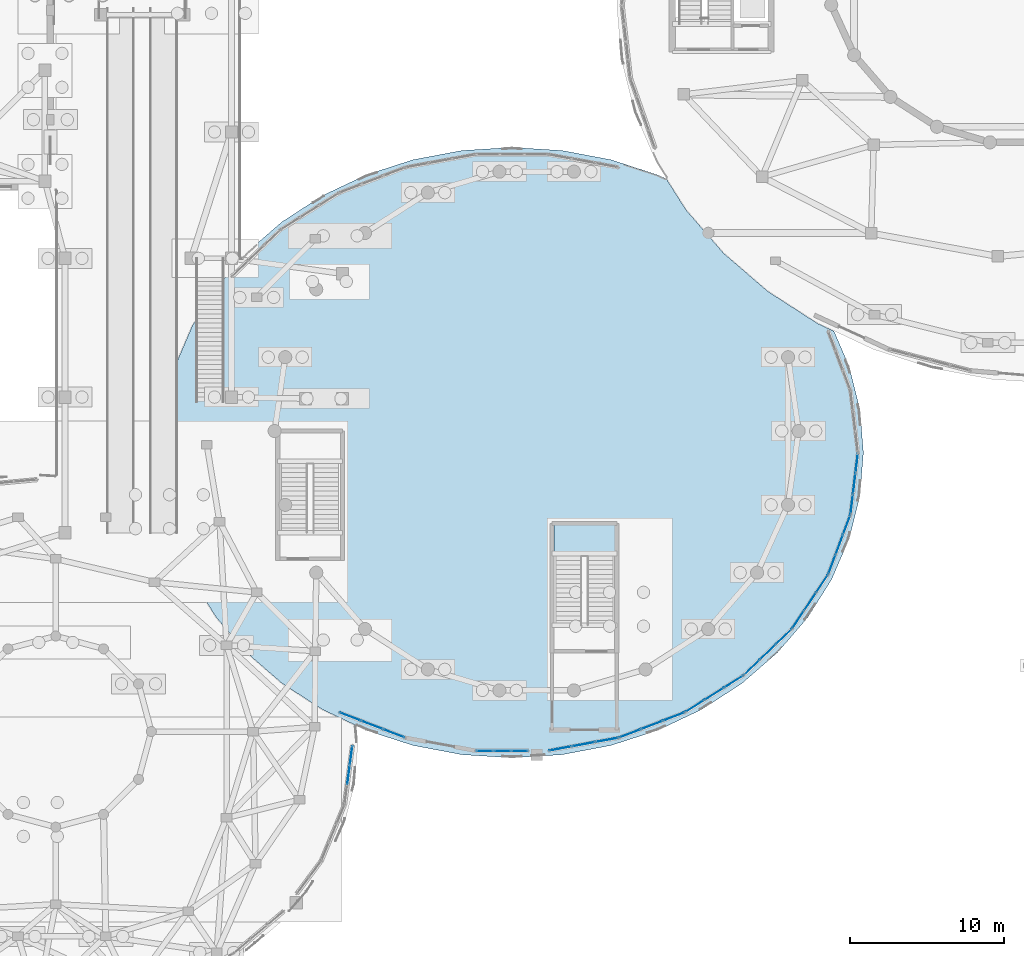
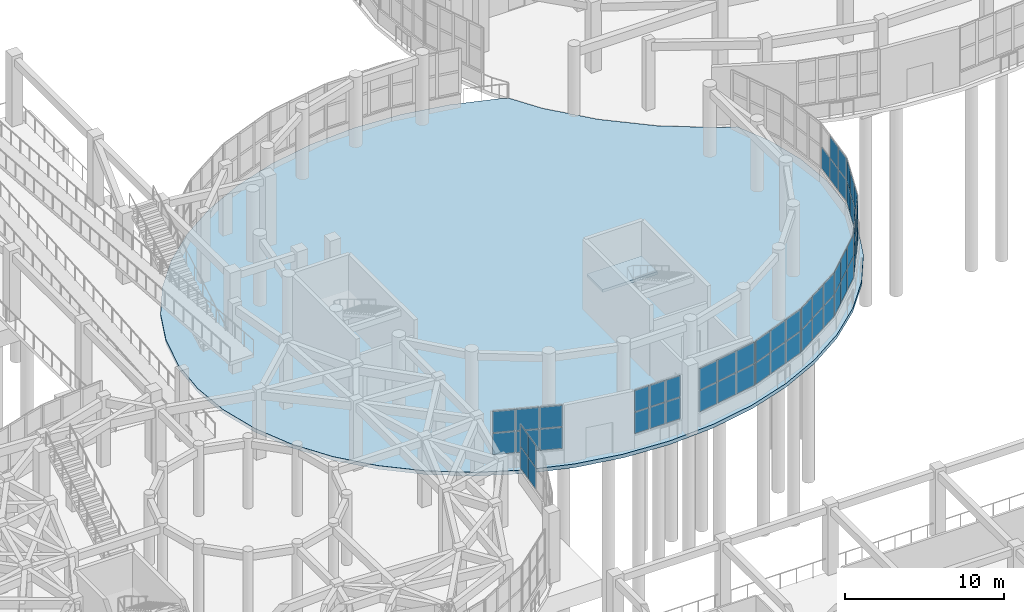
# One storey, part 62 of 96: 57 plates, 2 slabs, 11 elements without a shape of their own.
"""IFC4 building model written with IfcOpenShell, lengths in metres."""

from ifc_helpers import new_model, si_unit, direction, frame, origin, origin_2d, place, context, subcontext, project, spatial, polyline, rectangle, outline, extrude, material, layer, layer_set, type_object, element, aggregate, save


model = new_model("IFC4")

# Units and contexts
model_context = context("Model", 3, precision=1e-05, world=origin(), true_north=direction((0.0, 1.0)))
body_context = subcontext(model_context, "Body", "Model", "MODEL_VIEW")
ifc_project = project(units=[si_unit("LENGTHUNIT", "METRE"), si_unit("AREAUNIT", "SQUARE_METRE"), si_unit("VOLUMEUNIT", "CUBIC_METRE"), si_unit("PLANEANGLEUNIT", "RADIAN"), si_unit("MASSUNIT", "GRAM", prefix="KILO")], contexts=[model_context])

# Site, building, storey
site_placement = place(None, origin())
site = spatial("IfcSite", under=ifc_project, at=site_placement, CompositionType="ELEMENT")
building_placement = place(site_placement, origin())
building = spatial("IfcBuilding", under=site, at=building_placement, Name="Pelvatis Terrace Science Centre", CompositionType="ELEMENT")
storey_placement = place(building_placement, origin())
storey = spatial("IfcBuildingStorey", under=building, at=storey_placement, Name="L00", CompositionType="ELEMENT", Elevation=0.0)

# Curtain wall, plates
ifc_material_1 = material(Name="Bronze-anodised aluminium and laminated glass", Category="aluminium")
ifc_layer_1 = layer(ifc_material_1, 0.179931640625)
ifc_layer_set_1 = layer_set([ifc_layer_1], Name="Bronze-anodised aluminium and laminated glass")
curtain_wall_type_1 = type_object("IfcCurtainWallType", Name="CW-RIBBON-A", PredefinedType="NOTDEFINED", material=ifc_layer_set_1)
curtain_wall_1_placement = place(storey_placement, origin())
curtain_wall_1 = element("IfcCurtainWall", 1, at=curtain_wall_1_placement, inside=storey, type_object=curtain_wall_type_1, Name="Ribbon curtain wall CW-021 (L00)", PredefinedType="NOTDEFINED")
ifc_material_2 = material(Name="Low-e laminated solar-control double glazing", Category="glass")
ifc_layer_2 = layer(ifc_material_2, 0.028076171875)
ifc_layer_set_2 = layer_set([ifc_layer_2], Name="Low-e laminated solar-control double glazing")
plate_type_1 = type_object("IfcPlateType", Name="CWP-IGU-28", PredefinedType="CURTAIN_PANEL", material=ifc_layer_set_2)
plate_1_placement = place(storey_placement, frame((65.793701171875, 32.28076171875, 1.080078125), z_axis=(0.0, 0.0, 1.0), x_axis=(0.132392059832, 0.991197428615, 0.0)))
plate_1 = element("IfcPlate", 2, at=plate_1_placement, type_object=plate_type_1, Name="CW-021 panel 2.1", PredefinedType="CURTAIN_PANEL", context=body_context, shape_type="SweptSolid", body=[
    extrude(rectangle(XDim=1.23095703125, YDim=0.028076171875, at=origin_2d()), origin(), (0.0, 0.0, 1.0), 1.6298828125),
])
plate_2_placement = place(storey_placement, frame((65.793701171875, 32.28076171875, 2.77001953125), z_axis=(0.0, 0.0, 1.0), x_axis=(0.132392059832, 0.991197428615, 0.0)))
plate_2 = element("IfcPlate", 3, at=plate_2_placement, type_object=plate_type_1, Name="CW-021 panel 2.2", PredefinedType="CURTAIN_PANEL", context=body_context, shape_type="SweptSolid", body=[
    extrude(rectangle(XDim=1.23095703125, YDim=0.028076171875, at=origin_2d()), origin(), (0.0, 0.0, 1.0), 1.6298828125),
])
plate_3_placement = place(storey_placement, frame((65.962646484375, 33.54541015625, 1.080078125), z_axis=(0.0, 0.0, 1.0), x_axis=(0.132392059832, 0.991197428615, 0.0)))
plate_3 = element("IfcPlate", 4, at=plate_3_placement, type_object=plate_type_1, Name="CW-021 panel 3.1", PredefinedType="CURTAIN_PANEL", context=body_context, shape_type="SweptSolid", body=[
    extrude(rectangle(XDim=1.200927734375, YDim=0.028076171875, at=origin_2d()), origin(), (0.0, 0.0, 1.0), 1.6298828125),
])
plate_4_placement = place(storey_placement, frame((65.962646484375, 33.54541015625, 2.77001953125), z_axis=(0.0, 0.0, 1.0), x_axis=(0.132392059832, 0.991197428615, 0.0)))
plate_4 = element("IfcPlate", 5, at=plate_4_placement, type_object=plate_type_1, Name="CW-021 panel 3.2", PredefinedType="CURTAIN_PANEL", context=body_context, shape_type="SweptSolid", body=[
    extrude(rectangle(XDim=1.200927734375, YDim=0.028076171875, at=origin_2d()), origin(), (0.0, 0.0, 1.0), 1.6298828125),
])
aggregate(curtain_wall_1, [plate_1, plate_2, plate_3, plate_4])

ifc_material_3 = material(Name="Bronze-anodised aluminium and laminated glass", Category="aluminium")
ifc_layer_3 = layer(ifc_material_3, 0.199951171875)
ifc_layer_set_3 = layer_set([ifc_layer_3], Name="Bronze-anodised aluminium and laminated glass")
curtain_wall_type_2 = type_object("IfcCurtainWallType", Name="CW-RIBBON-B", PredefinedType="NOTDEFINED", material=ifc_layer_set_3)
curtain_wall_2_placement = place(storey_placement, origin())
curtain_wall_2 = element("IfcCurtainWall", 6, at=curtain_wall_2_placement, inside=storey, type_object=curtain_wall_type_2, Name="Ribbon curtain wall CW-051 (L00)", PredefinedType="NOTDEFINED")
ifc_material_4 = material(Name="Low-e laminated solar-control double glazing", Category="glass")
ifc_layer_4 = layer(ifc_material_4, 0.031982421875)
ifc_layer_set_4 = layer_set([ifc_layer_4], Name="Low-e laminated solar-control double glazing")
plate_type_2 = type_object("IfcPlateType", Name="CWP-IGU-32", PredefinedType="CURTAIN_PANEL", material=ifc_layer_set_4)
plate_5_placement = place(storey_placement, frame((65.90478515625, 36.07421875, 1.0849609375), z_axis=(0.0, 0.0, 1.0), x_axis=(0.933000823352, -0.359874233065, 0.0)))
plate_5 = element("IfcPlate", 7, at=plate_5_placement, type_object=plate_type_2, Name="CW-051 panel 1.1", PredefinedType="CURTAIN_PANEL", context=body_context, shape_type="SweptSolid", body=[
    extrude(rectangle(XDim=1.434326171875, YDim=0.031982421875, at=origin_2d()), origin(), (0.0, 0.0, 1.0), 1.62255859375),
])
plate_6_placement = place(storey_placement, frame((65.90478515625, 36.07421875, 2.7724609375), z_axis=(0.0, 0.0, 1.0), x_axis=(0.933000823352, -0.359874233065, 0.0)))
plate_6 = element("IfcPlate", 8, at=plate_6_placement, type_object=plate_type_2, Name="CW-051 panel 1.2", PredefinedType="CURTAIN_PANEL", context=body_context, shape_type="SweptSolid", body=[
    extrude(rectangle(XDim=1.434326171875, YDim=0.031982421875, at=origin_2d()), origin(), (0.0, 0.0, 1.0), 1.62255859375),
])
plate_7_placement = place(storey_placement, frame((67.31884765625, 35.52880859375, 1.0849609375), z_axis=(0.0, 0.0, 1.0), x_axis=(0.933000823352, -0.359874233065, 0.0)))
plate_7 = element("IfcPlate", 9, at=plate_7_placement, type_object=plate_type_2, Name="CW-051 panel 2.1", PredefinedType="CURTAIN_PANEL", context=body_context, shape_type="SweptSolid", body=[
    extrude(rectangle(XDim=1.466796875, YDim=0.031982421875, at=origin_2d()), origin(), (0.0, 0.0, 1.0), 1.62255859375),
])
plate_8_placement = place(storey_placement, frame((67.31884765625, 35.52880859375, 2.7724609375), z_axis=(0.0, 0.0, 1.0), x_axis=(0.933000823352, -0.359874233065, 0.0)))
plate_8 = element("IfcPlate", 10, at=plate_8_placement, type_object=plate_type_2, Name="CW-051 panel 2.2", PredefinedType="CURTAIN_PANEL", context=body_context, shape_type="SweptSolid", body=[
    extrude(rectangle(XDim=1.466796875, YDim=0.031982421875, at=origin_2d()), origin(), (0.0, 0.0, 1.0), 1.62255859375),
])
plate_9_placement = place(storey_placement, frame((68.73291015625, 34.9833984375, 1.0849609375), z_axis=(0.0, 0.0, 1.0), x_axis=(0.933000823352, -0.359874233065, 0.0)))
plate_9 = element("IfcPlate", 11, at=plate_9_placement, type_object=plate_type_2, Name="CW-051 panel 3.1", PredefinedType="CURTAIN_PANEL", context=body_context, shape_type="SweptSolid", body=[
    extrude(rectangle(XDim=1.434326171875, YDim=0.031982421875, at=origin_2d()), origin(), (0.0, 0.0, 1.0), 1.62255859375),
])
plate_10_placement = place(storey_placement, frame((68.73291015625, 34.9833984375, 2.7724609375), z_axis=(0.0, 0.0, 1.0), x_axis=(0.933000823352, -0.359874233065, 0.0)))
plate_10 = element("IfcPlate", 12, at=plate_10_placement, type_object=plate_type_2, Name="CW-051 panel 3.2", PredefinedType="CURTAIN_PANEL", context=body_context, shape_type="SweptSolid", body=[
    extrude(rectangle(XDim=1.434326171875, YDim=0.031982421875, at=origin_2d()), origin(), (0.0, 0.0, 1.0), 1.62255859375),
])
aggregate(curtain_wall_2, [plate_5, plate_6, plate_7, plate_8, plate_9, plate_10])

curtain_wall_3_placement = place(storey_placement, origin())
curtain_wall_3 = element("IfcCurtainWall", 13, at=curtain_wall_3_placement, inside=storey, type_object=curtain_wall_type_2, Name="Ribbon curtain wall CW-052 (L00)", PredefinedType="NOTDEFINED")
plate_11_placement = place(storey_placement, frame((74.64404296875, 33.8564453125, 1.0849609375), z_axis=(0.0, 0.0, 1.0), x_axis=(1.0, 0.0, 0.0)))
plate_11 = element("IfcPlate", 14, at=plate_11_placement, type_object=plate_type_2, Name="CW-052 panel 1.1", PredefinedType="CURTAIN_PANEL", context=body_context, shape_type="SweptSolid", body=[
    extrude(rectangle(XDim=1.051513671875, YDim=0.031982421875, at=origin_2d()), origin(), (0.0, 0.0, 1.0), 1.62255859375),
])
plate_12_placement = place(storey_placement, frame((74.64404296875, 33.8564453125, 2.7724609375), z_axis=(0.0, 0.0, 1.0), x_axis=(1.0, 0.0, 0.0)))
plate_12 = element("IfcPlate", 15, at=plate_12_placement, type_object=plate_type_2, Name="CW-052 panel 1.2", PredefinedType="CURTAIN_PANEL", context=body_context, shape_type="SweptSolid", body=[
    extrude(rectangle(XDim=1.051513671875, YDim=0.031982421875, at=origin_2d()), origin(), (0.0, 0.0, 1.0), 1.62255859375),
])
plate_13_placement = place(storey_placement, frame((75.776611328125, 33.8564453125, 1.0849609375), z_axis=(0.0, 0.0, 1.0), x_axis=(1.0, 0.0, 0.0)))
plate_13 = element("IfcPlate", 16, at=plate_13_placement, type_object=plate_type_2, Name="CW-052 panel 2.1", PredefinedType="CURTAIN_PANEL", context=body_context, shape_type="SweptSolid", body=[
    extrude(rectangle(XDim=1.083984375, YDim=0.031982421875, at=origin_2d()), origin(), (0.0, 0.0, 1.0), 1.62255859375),
])
plate_14_placement = place(storey_placement, frame((75.776611328125, 33.8564453125, 2.7724609375), z_axis=(0.0, 0.0, 1.0), x_axis=(1.0, 0.0, 0.0)))
plate_14 = element("IfcPlate", 17, at=plate_14_placement, type_object=plate_type_2, Name="CW-052 panel 2.2", PredefinedType="CURTAIN_PANEL", context=body_context, shape_type="SweptSolid", body=[
    extrude(rectangle(XDim=1.083984375, YDim=0.031982421875, at=origin_2d()), origin(), (0.0, 0.0, 1.0), 1.62255859375),
])
plate_15_placement = place(storey_placement, frame((76.9091796875, 33.8564453125, 1.0849609375), z_axis=(0.0, 0.0, 1.0), x_axis=(1.0, 0.0, 0.0)))
plate_15 = element("IfcPlate", 18, at=plate_15_placement, type_object=plate_type_2, Name="CW-052 panel 3.1", PredefinedType="CURTAIN_PANEL", context=body_context, shape_type="SweptSolid", body=[
    extrude(rectangle(XDim=1.051513671875, YDim=0.031982421875, at=origin_2d()), origin(), (0.0, 0.0, 1.0), 1.62255859375),
])
plate_16_placement = place(storey_placement, frame((76.9091796875, 33.8564453125, 2.7724609375), z_axis=(0.0, 0.0, 1.0), x_axis=(1.0, 0.0, 0.0)))
plate_16 = element("IfcPlate", 19, at=plate_16_placement, type_object=plate_type_2, Name="CW-052 panel 3.2", PredefinedType="CURTAIN_PANEL", context=body_context, shape_type="SweptSolid", body=[
    extrude(rectangle(XDim=1.051513671875, YDim=0.031982421875, at=origin_2d()), origin(), (0.0, 0.0, 1.0), 1.62255859375),
])
aggregate(curtain_wall_3, [plate_11, plate_12, plate_13, plate_14, plate_15, plate_16])

curtain_wall_4_placement = place(storey_placement, origin())
curtain_wall_4 = element("IfcCurtainWall", 20, at=curtain_wall_4_placement, inside=storey, type_object=curtain_wall_type_2, Name="Ribbon curtain wall CW-053 (L00)", PredefinedType="NOTDEFINED")
plate_17_placement = place(storey_placement, frame((79.52783203125, 34.000244140625, 1.0849609375), z_axis=(0.0, 0.0, 1.0), x_axis=(0.983459114146, 0.181130259216, 0.0)))
plate_17 = element("IfcPlate", 21, at=plate_17_placement, type_object=plate_type_2, Name="CW-053 panel 1.1", PredefinedType="CURTAIN_PANEL", context=body_context, shape_type="SweptSolid", body=[
    extrude(rectangle(XDim=1.45849609375, YDim=0.031982421875, at=origin_2d()), origin(), (0.0, 0.0, 1.0), 1.62255859375),
])
plate_18_placement = place(storey_placement, frame((79.52783203125, 34.000244140625, 2.7724609375), z_axis=(0.0, 0.0, 1.0), x_axis=(0.983459114146, 0.181130259216, 0.0)))
plate_18 = element("IfcPlate", 22, at=plate_18_placement, type_object=plate_type_2, Name="CW-053 panel 1.2", PredefinedType="CURTAIN_PANEL", context=body_context, shape_type="SweptSolid", body=[
    extrude(rectangle(XDim=1.45849609375, YDim=0.031982421875, at=origin_2d()), origin(), (0.0, 0.0, 1.0), 1.62255859375),
])
plate_19_placement = place(storey_placement, frame((81.0419921875, 34.279296875, 1.0849609375), z_axis=(0.0, 0.0, 1.0), x_axis=(0.983459114146, 0.181130259216, 0.0)))
plate_19 = element("IfcPlate", 23, at=plate_19_placement, type_object=plate_type_2, Name="CW-053 panel 2.1", PredefinedType="CURTAIN_PANEL", context=body_context, shape_type="SweptSolid", body=[
    extrude(rectangle(XDim=1.490966796875, YDim=0.031982421875, at=origin_2d()), origin(), (0.0, 0.0, 1.0), 1.62255859375),
])
plate_20_placement = place(storey_placement, frame((81.0419921875, 34.279296875, 2.7724609375), z_axis=(0.0, 0.0, 1.0), x_axis=(0.983459114146, 0.181130259216, 0.0)))
plate_20 = element("IfcPlate", 24, at=plate_20_placement, type_object=plate_type_2, Name="CW-053 panel 2.2", PredefinedType="CURTAIN_PANEL", context=body_context, shape_type="SweptSolid", body=[
    extrude(rectangle(XDim=1.490966796875, YDim=0.031982421875, at=origin_2d()), origin(), (0.0, 0.0, 1.0), 1.62255859375),
])
plate_21_placement = place(storey_placement, frame((82.556396484375, 34.55810546875, 1.0849609375), z_axis=(0.0, 0.0, 1.0), x_axis=(0.983459114146, 0.181130259216, 0.0)))
plate_21 = element("IfcPlate", 25, at=plate_21_placement, type_object=plate_type_2, Name="CW-053 panel 3.1", PredefinedType="CURTAIN_PANEL", context=body_context, shape_type="SweptSolid", body=[
    extrude(rectangle(XDim=1.45849609375, YDim=0.031982421875, at=origin_2d()), origin(), (0.0, 0.0, 1.0), 1.62255859375),
])
plate_22_placement = place(storey_placement, frame((82.556396484375, 34.55810546875, 2.7724609375), z_axis=(0.0, 0.0, 1.0), x_axis=(0.983459114146, 0.181130259216, 0.0)))
plate_22 = element("IfcPlate", 26, at=plate_22_placement, type_object=plate_type_2, Name="CW-053 panel 3.2", PredefinedType="CURTAIN_PANEL", context=body_context, shape_type="SweptSolid", body=[
    extrude(rectangle(XDim=1.45849609375, YDim=0.031982421875, at=origin_2d()), origin(), (0.0, 0.0, 1.0), 1.62255859375),
])
aggregate(curtain_wall_4, [plate_17, plate_18, plate_19, plate_20, plate_21, plate_22])

curtain_wall_5_placement = place(storey_placement, origin())
curtain_wall_5 = element("IfcCurtainWall", 27, at=curtain_wall_5_placement, inside=storey, type_object=curtain_wall_type_2, Name="Ribbon curtain wall CW-054 (L00)", PredefinedType="NOTDEFINED")
plate_23_placement = place(storey_placement, frame((84.067138671875, 34.9833984375, 1.0849609375), z_axis=(0.0, 0.0, 1.0), x_axis=(0.933000823352, 0.359874233065, 0.0)))
plate_23 = element("IfcPlate", 28, at=plate_23_placement, type_object=plate_type_2, Name="CW-054 panel 1.1", PredefinedType="CURTAIN_PANEL", context=body_context, shape_type="SweptSolid", body=[
    extrude(rectangle(XDim=1.434326171875, YDim=0.031982421875, at=origin_2d()), origin(), (0.0, 0.0, 1.0), 1.62255859375),
])
plate_24_placement = place(storey_placement, frame((84.067138671875, 34.9833984375, 2.7724609375), z_axis=(0.0, 0.0, 1.0), x_axis=(0.933000823352, 0.359874233065, 0.0)))
plate_24 = element("IfcPlate", 29, at=plate_24_placement, type_object=plate_type_2, Name="CW-054 panel 1.2", PredefinedType="CURTAIN_PANEL", context=body_context, shape_type="SweptSolid", body=[
    extrude(rectangle(XDim=1.434326171875, YDim=0.031982421875, at=origin_2d()), origin(), (0.0, 0.0, 1.0), 1.62255859375),
])
plate_25_placement = place(storey_placement, frame((85.481201171875, 35.52880859375, 1.0849609375), z_axis=(0.0, 0.0, 1.0), x_axis=(0.933000823352, 0.359874233065, 0.0)))
plate_25 = element("IfcPlate", 30, at=plate_25_placement, type_object=plate_type_2, Name="CW-054 panel 2.1", PredefinedType="CURTAIN_PANEL", context=body_context, shape_type="SweptSolid", body=[
    extrude(rectangle(XDim=1.466796875, YDim=0.031982421875, at=origin_2d()), origin(), (0.0, 0.0, 1.0), 1.62255859375),
])
plate_26_placement = place(storey_placement, frame((85.481201171875, 35.52880859375, 2.7724609375), z_axis=(0.0, 0.0, 1.0), x_axis=(0.933000823352, 0.359874233065, 0.0)))
plate_26 = element("IfcPlate", 31, at=plate_26_placement, type_object=plate_type_2, Name="CW-054 panel 2.2", PredefinedType="CURTAIN_PANEL", context=body_context, shape_type="SweptSolid", body=[
    extrude(rectangle(XDim=1.466796875, YDim=0.031982421875, at=origin_2d()), origin(), (0.0, 0.0, 1.0), 1.62255859375),
])
plate_27_placement = place(storey_placement, frame((86.895263671875, 36.07421875, 1.0849609375), z_axis=(0.0, 0.0, 1.0), x_axis=(0.933000823352, 0.359874233065, 0.0)))
plate_27 = element("IfcPlate", 32, at=plate_27_placement, type_object=plate_type_2, Name="CW-054 panel 3.1", PredefinedType="CURTAIN_PANEL", context=body_context, shape_type="SweptSolid", body=[
    extrude(rectangle(XDim=1.434326171875, YDim=0.031982421875, at=origin_2d()), origin(), (0.0, 0.0, 1.0), 1.62255859375),
])
plate_28_placement = place(storey_placement, frame((86.895263671875, 36.07421875, 2.7724609375), z_axis=(0.0, 0.0, 1.0), x_axis=(0.933000823352, 0.359874233065, 0.0)))
plate_28 = element("IfcPlate", 33, at=plate_28_placement, type_object=plate_type_2, Name="CW-054 panel 3.2", PredefinedType="CURTAIN_PANEL", context=body_context, shape_type="SweptSolid", body=[
    extrude(rectangle(XDim=1.434326171875, YDim=0.031982421875, at=origin_2d()), origin(), (0.0, 0.0, 1.0), 1.62255859375),
])
aggregate(curtain_wall_5, [plate_23, plate_24, plate_25, plate_26, plate_27, plate_28])

curtain_wall_6_placement = place(storey_placement, origin())
curtain_wall_6 = element("IfcCurtainWall", 34, at=curtain_wall_6_placement, inside=storey, type_object=curtain_wall_type_2, Name="Ribbon curtain wall CW-055 (L00)", PredefinedType="NOTDEFINED")
plate_29_placement = place(storey_placement, frame((88.271484375, 36.7626953125, 1.0849609375), z_axis=(0.0, 0.0, 1.0), x_axis=(0.846303552317, 0.532700945499, 0.0)))
plate_29 = element("IfcPlate", 35, at=plate_29_placement, type_object=plate_type_2, Name="CW-055 panel 1.1", PredefinedType="CURTAIN_PANEL", context=body_context, shape_type="SweptSolid", body=[
    extrude(rectangle(XDim=1.39794921875, YDim=0.031982421875, at=origin_2d()), origin(), (0.0, 0.0, 1.0), 1.62255859375),
])
plate_30_placement = place(storey_placement, frame((88.271484375, 36.7626953125, 2.7724609375), z_axis=(0.0, 0.0, 1.0), x_axis=(0.846303552317, 0.532700945499, 0.0)))
plate_30 = element("IfcPlate", 36, at=plate_30_placement, type_object=plate_type_2, Name="CW-055 panel 1.2", PredefinedType="CURTAIN_PANEL", context=body_context, shape_type="SweptSolid", body=[
    extrude(rectangle(XDim=1.39794921875, YDim=0.031982421875, at=origin_2d()), origin(), (0.0, 0.0, 1.0), 1.62255859375),
])
plate_31_placement = place(storey_placement, frame((89.5234375, 37.55078125, 1.0849609375), z_axis=(0.0, 0.0, 1.0), x_axis=(0.846303552317, 0.532700945499, 0.0)))
plate_31 = element("IfcPlate", 37, at=plate_31_placement, type_object=plate_type_2, Name="CW-055 panel 2.1", PredefinedType="CURTAIN_PANEL", context=body_context, shape_type="SweptSolid", body=[
    extrude(rectangle(XDim=1.430419921875, YDim=0.031982421875, at=origin_2d()), origin(), (0.0, 0.0, 1.0), 1.62255859375),
])
plate_32_placement = place(storey_placement, frame((89.5234375, 37.55078125, 2.7724609375), z_axis=(0.0, 0.0, 1.0), x_axis=(0.846303552317, 0.532700945499, 0.0)))
plate_32 = element("IfcPlate", 38, at=plate_32_placement, type_object=plate_type_2, Name="CW-055 panel 2.2", PredefinedType="CURTAIN_PANEL", context=body_context, shape_type="SweptSolid", body=[
    extrude(rectangle(XDim=1.430419921875, YDim=0.031982421875, at=origin_2d()), origin(), (0.0, 0.0, 1.0), 1.62255859375),
])
plate_33_placement = place(storey_placement, frame((90.775390625, 38.3388671875, 1.0849609375), z_axis=(0.0, 0.0, 1.0), x_axis=(0.846303552317, 0.532700945499, 0.0)))
plate_33 = element("IfcPlate", 39, at=plate_33_placement, type_object=plate_type_2, Name="CW-055 panel 3.1", PredefinedType="CURTAIN_PANEL", context=body_context, shape_type="SweptSolid", body=[
    extrude(rectangle(XDim=1.39794921875, YDim=0.031982421875, at=origin_2d()), origin(), (0.0, 0.0, 1.0), 1.62255859375),
])
plate_34_placement = place(storey_placement, frame((90.775390625, 38.3388671875, 2.7724609375), z_axis=(0.0, 0.0, 1.0), x_axis=(0.846303552317, 0.532700945499, 0.0)))
plate_34 = element("IfcPlate", 40, at=plate_34_placement, type_object=plate_type_2, Name="CW-055 panel 3.2", PredefinedType="CURTAIN_PANEL", context=body_context, shape_type="SweptSolid", body=[
    extrude(rectangle(XDim=1.39794921875, YDim=0.031982421875, at=origin_2d()), origin(), (0.0, 0.0, 1.0), 1.62255859375),
])
aggregate(curtain_wall_6, [plate_29, plate_30, plate_31, plate_32, plate_33, plate_34])

curtain_wall_7_placement = place(storey_placement, origin())
curtain_wall_7 = element("IfcCurtainWall", 41, at=curtain_wall_7_placement, inside=storey, type_object=curtain_wall_type_2, Name="Ribbon curtain wall CW-056 (L00)", PredefinedType="NOTDEFINED")
plate_35_placement = place(storey_placement, frame((91.95703125, 39.2607421875, 1.0849609375), z_axis=(0.0, 0.0, 1.0), x_axis=(0.720582574301, 0.693369132291, 0.0)))
plate_35 = element("IfcPlate", 42, at=plate_35_placement, type_object=plate_type_2, Name="CW-056 panel 1.1", PredefinedType="CURTAIN_PANEL", context=body_context, shape_type="SweptSolid", body=[
    extrude(rectangle(XDim=1.355224609375, YDim=0.031982421875, at=origin_2d()), origin(), (0.0, 0.0, 1.0), 1.62255859375),
])
plate_36_placement = place(storey_placement, frame((91.95703125, 39.2607421875, 2.7724609375), z_axis=(0.0, 0.0, 1.0), x_axis=(0.720582574301, 0.693369132291, 0.0)))
plate_36 = element("IfcPlate", 43, at=plate_36_placement, type_object=plate_type_2, Name="CW-056 panel 1.2", PredefinedType="CURTAIN_PANEL", context=body_context, shape_type="SweptSolid", body=[
    extrude(rectangle(XDim=1.355224609375, YDim=0.031982421875, at=origin_2d()), origin(), (0.0, 0.0, 1.0), 1.62255859375),
])
plate_37_placement = place(storey_placement, frame((92.9921875, 40.256591796875, 1.0849609375), z_axis=(0.0, 0.0, 1.0), x_axis=(0.720582574301, 0.693369132291, 0.0)))
plate_37 = element("IfcPlate", 44, at=plate_37_placement, type_object=plate_type_2, Name="CW-056 panel 2.1", PredefinedType="CURTAIN_PANEL", context=body_context, shape_type="SweptSolid", body=[
    extrude(rectangle(XDim=1.3876953125, YDim=0.031982421875, at=origin_2d()), origin(), (0.0, 0.0, 1.0), 1.62255859375),
])
plate_38_placement = place(storey_placement, frame((92.9921875, 40.256591796875, 2.7724609375), z_axis=(0.0, 0.0, 1.0), x_axis=(0.720582574301, 0.693369132291, 0.0)))
plate_38 = element("IfcPlate", 45, at=plate_38_placement, type_object=plate_type_2, Name="CW-056 panel 2.2", PredefinedType="CURTAIN_PANEL", context=body_context, shape_type="SweptSolid", body=[
    extrude(rectangle(XDim=1.3876953125, YDim=0.031982421875, at=origin_2d()), origin(), (0.0, 0.0, 1.0), 1.62255859375),
])
plate_39_placement = place(storey_placement, frame((94.02734375, 41.252685546875, 1.0849609375), z_axis=(0.0, 0.0, 1.0), x_axis=(0.720582574301, 0.693369132291, 0.0)))
plate_39 = element("IfcPlate", 46, at=plate_39_placement, type_object=plate_type_2, Name="CW-056 panel 3.1", PredefinedType="CURTAIN_PANEL", context=body_context, shape_type="SweptSolid", body=[
    extrude(rectangle(XDim=1.355224609375, YDim=0.031982421875, at=origin_2d()), origin(), (0.0, 0.0, 1.0), 1.62255859375),
])
plate_40_placement = place(storey_placement, frame((94.02734375, 41.252685546875, 2.7724609375), z_axis=(0.0, 0.0, 1.0), x_axis=(0.720582574301, 0.693369132291, 0.0)))
plate_40 = element("IfcPlate", 47, at=plate_40_placement, type_object=plate_type_2, Name="CW-056 panel 3.2", PredefinedType="CURTAIN_PANEL", context=body_context, shape_type="SweptSolid", body=[
    extrude(rectangle(XDim=1.355224609375, YDim=0.031982421875, at=origin_2d()), origin(), (0.0, 0.0, 1.0), 1.62255859375),
])
aggregate(curtain_wall_7, [plate_35, plate_36, plate_37, plate_38, plate_39, plate_40])

curtain_wall_8_placement = place(storey_placement, origin())
curtain_wall_8 = element("IfcCurtainWall", 48, at=curtain_wall_8_placement, inside=storey, type_object=curtain_wall_type_2, Name="Ribbon curtain wall CW-057 (L00)", PredefinedType="NOTDEFINED")
plate_41_placement = place(storey_placement, frame((94.962646484375, 42.367919921875, 1.0849609375), z_axis=(0.0, 0.0, 1.0), x_axis=(0.554552947095, 0.832148441606, 0.0)))
plate_41 = element("IfcPlate", 49, at=plate_41_placement, type_object=plate_type_2, Name="CW-057 panel 1.1", PredefinedType="CURTAIN_PANEL", context=body_context, shape_type="SweptSolid", body=[
    extrude(rectangle(XDim=1.31298828125, YDim=0.031982421875, at=origin_2d()), origin(), (0.0, 0.0, 1.0), 1.62255859375),
])
plate_42_placement = place(storey_placement, frame((94.962646484375, 42.367919921875, 2.7724609375), z_axis=(0.0, 0.0, 1.0), x_axis=(0.554552947095, 0.832148441606, 0.0)))
plate_42 = element("IfcPlate", 50, at=plate_42_placement, type_object=plate_type_2, Name="CW-057 panel 1.2", PredefinedType="CURTAIN_PANEL", context=body_context, shape_type="SweptSolid", body=[
    extrude(rectangle(XDim=1.31298828125, YDim=0.031982421875, at=origin_2d()), origin(), (0.0, 0.0, 1.0), 1.62255859375),
])
plate_43_placement = place(storey_placement, frame((95.73583984375, 43.5283203125, 1.0849609375), z_axis=(0.0, 0.0, 1.0), x_axis=(0.554552947095, 0.832148441606, 0.0)))
plate_43 = element("IfcPlate", 51, at=plate_43_placement, type_object=plate_type_2, Name="CW-057 panel 2.1", PredefinedType="CURTAIN_PANEL", context=body_context, shape_type="SweptSolid", body=[
    extrude(rectangle(XDim=1.345458984375, YDim=0.031982421875, at=origin_2d()), origin(), (0.0, 0.0, 1.0), 1.62255859375),
])
plate_44_placement = place(storey_placement, frame((95.73583984375, 43.5283203125, 2.7724609375), z_axis=(0.0, 0.0, 1.0), x_axis=(0.554552947095, 0.832148441606, 0.0)))
plate_44 = element("IfcPlate", 52, at=plate_44_placement, type_object=plate_type_2, Name="CW-057 panel 2.2", PredefinedType="CURTAIN_PANEL", context=body_context, shape_type="SweptSolid", body=[
    extrude(rectangle(XDim=1.345458984375, YDim=0.031982421875, at=origin_2d()), origin(), (0.0, 0.0, 1.0), 1.62255859375),
])
plate_45_placement = place(storey_placement, frame((96.509033203125, 44.6884765625, 1.0849609375), z_axis=(0.0, 0.0, 1.0), x_axis=(0.554552947095, 0.832148441606, 0.0)))
plate_45 = element("IfcPlate", 53, at=plate_45_placement, type_object=plate_type_2, Name="CW-057 panel 3.1", PredefinedType="CURTAIN_PANEL", context=body_context, shape_type="SweptSolid", body=[
    extrude(rectangle(XDim=1.31298828125, YDim=0.031982421875, at=origin_2d()), origin(), (0.0, 0.0, 1.0), 1.62255859375),
])
plate_46_placement = place(storey_placement, frame((96.509033203125, 44.6884765625, 2.7724609375), z_axis=(0.0, 0.0, 1.0), x_axis=(0.554552947095, 0.832148441606, 0.0)))
plate_46 = element("IfcPlate", 54, at=plate_46_placement, type_object=plate_type_2, Name="CW-057 panel 3.2", PredefinedType="CURTAIN_PANEL", context=body_context, shape_type="SweptSolid", body=[
    extrude(rectangle(XDim=1.31298828125, YDim=0.031982421875, at=origin_2d()), origin(), (0.0, 0.0, 1.0), 1.62255859375),
])
aggregate(curtain_wall_8, [plate_41, plate_42, plate_43, plate_44, plate_45, plate_46])

curtain_wall_9_placement = place(storey_placement, origin())
curtain_wall_9 = element("IfcCurtainWall", 55, at=curtain_wall_9_placement, inside=storey, type_object=curtain_wall_type_2, Name="Ribbon curtain wall CW-058 (L00)", PredefinedType="NOTDEFINED")
plate_47_placement = place(storey_placement, frame((97.156494140625, 45.94873046875, 1.0849609375), z_axis=(0.0, 0.0, 1.0), x_axis=(0.351152628988, 0.936318231775, 0.0)))
plate_47 = element("IfcPlate", 56, at=plate_47_placement, type_object=plate_type_2, Name="CW-058 panel 1.1", PredefinedType="CURTAIN_PANEL", context=body_context, shape_type="SweptSolid", body=[
    extrude(rectangle(XDim=1.279296875, YDim=0.031982421875, at=origin_2d()), origin(), (0.0, 0.0, 1.0), 1.62255859375),
])
plate_48_placement = place(storey_placement, frame((97.156494140625, 45.94873046875, 2.7724609375), z_axis=(0.0, 0.0, 1.0), x_axis=(0.351152628988, 0.936318231775, 0.0)))
plate_48 = element("IfcPlate", 57, at=plate_48_placement, type_object=plate_type_2, Name="CW-058 panel 1.2", PredefinedType="CURTAIN_PANEL", context=body_context, shape_type="SweptSolid", body=[
    extrude(rectangle(XDim=1.279296875, YDim=0.031982421875, at=origin_2d()), origin(), (0.0, 0.0, 1.0), 1.62255859375),
])
plate_49_placement = place(storey_placement, frame((97.63427734375, 47.22265625, 1.0849609375), z_axis=(0.0, 0.0, 1.0), x_axis=(0.351152628988, 0.936318231775, 0.0)))
plate_49 = element("IfcPlate", 58, at=plate_49_placement, type_object=plate_type_2, Name="CW-058 panel 2.1", PredefinedType="CURTAIN_PANEL", context=body_context, shape_type="SweptSolid", body=[
    extrude(rectangle(XDim=1.311767578125, YDim=0.031982421875, at=origin_2d()), origin(), (0.0, 0.0, 1.0), 1.62255859375),
])
plate_50_placement = place(storey_placement, frame((97.63427734375, 47.22265625, 2.7724609375), z_axis=(0.0, 0.0, 1.0), x_axis=(0.351152628988, 0.936318231775, 0.0)))
plate_50 = element("IfcPlate", 59, at=plate_50_placement, type_object=plate_type_2, Name="CW-058 panel 2.2", PredefinedType="CURTAIN_PANEL", context=body_context, shape_type="SweptSolid", body=[
    extrude(rectangle(XDim=1.311767578125, YDim=0.031982421875, at=origin_2d()), origin(), (0.0, 0.0, 1.0), 1.62255859375),
])
plate_51_placement = place(storey_placement, frame((98.112060546875, 48.496337890625, 1.0849609375), z_axis=(0.0, 0.0, 1.0), x_axis=(0.351152628988, 0.936318231775, 0.0)))
plate_51 = element("IfcPlate", 60, at=plate_51_placement, type_object=plate_type_2, Name="CW-058 panel 3.1", PredefinedType="CURTAIN_PANEL", context=body_context, shape_type="SweptSolid", body=[
    extrude(rectangle(XDim=1.279296875, YDim=0.031982421875, at=origin_2d()), origin(), (0.0, 0.0, 1.0), 1.62255859375),
])
plate_52_placement = place(storey_placement, frame((98.112060546875, 48.496337890625, 2.7724609375), z_axis=(0.0, 0.0, 1.0), x_axis=(0.351152628988, 0.936318231775, 0.0)))
plate_52 = element("IfcPlate", 61, at=plate_52_placement, type_object=plate_type_2, Name="CW-058 panel 3.2", PredefinedType="CURTAIN_PANEL", context=body_context, shape_type="SweptSolid", body=[
    extrude(rectangle(XDim=1.279296875, YDim=0.031982421875, at=origin_2d()), origin(), (0.0, 0.0, 1.0), 1.62255859375),
])
aggregate(curtain_wall_9, [plate_47, plate_48, plate_49, plate_50, plate_51, plate_52])

curtain_wall_10_placement = place(storey_placement, origin())
curtain_wall_10 = element("IfcCurtainWall", 62, at=curtain_wall_10_placement, inside=storey, type_object=curtain_wall_type_2, Name="Ribbon curtain wall CW-059 (L00)", PredefinedType="NOTDEFINED")
plate_53_placement = place(storey_placement, frame((98.443115234375, 49.84619140625, 1.0849609375), z_axis=(0.0, 0.0, 1.0), x_axis=(0.120435470735, 0.992721157923, 0.0)))
plate_53 = element("IfcPlate", 63, at=plate_53_placement, type_object=plate_type_2, Name="CW-059 panel 1.1", PredefinedType="CURTAIN_PANEL", context=body_context, shape_type="SweptSolid", body=[
    extrude(rectangle(XDim=1.26025390625, YDim=0.031982421875, at=origin_2d()), origin(), (0.0, 0.0, 1.0), 1.62255859375),
])
plate_54_placement = place(storey_placement, frame((98.443115234375, 49.84619140625, 2.7724609375), z_axis=(0.0, 0.0, 1.0), x_axis=(0.120435470735, 0.992721157923, 0.0)))
plate_54 = element("IfcPlate", 64, at=plate_54_placement, type_object=plate_type_2, Name="CW-059 panel 1.2", PredefinedType="CURTAIN_PANEL", context=body_context, shape_type="SweptSolid", body=[
    extrude(rectangle(XDim=1.26025390625, YDim=0.031982421875, at=origin_2d()), origin(), (0.0, 0.0, 1.0), 1.62255859375),
])
plate_55_placement = place(storey_placement, frame((98.604736328125, 51.177978515625, 1.0849609375), z_axis=(0.0, 0.0, 1.0), x_axis=(0.120435470735, 0.992721157923, 0.0)))
plate_55 = element("IfcPlate", 65, at=plate_55_placement, type_object=plate_type_2, Name="CW-059 panel 2.1", PredefinedType="CURTAIN_PANEL", context=body_context, shape_type="SweptSolid", body=[
    extrude(rectangle(XDim=1.29296875, YDim=0.031982421875, at=origin_2d()), origin(), (0.0, 0.0, 1.0), 1.62255859375),
])
plate_56_placement = place(storey_placement, frame((98.604736328125, 51.177978515625, 2.7724609375), z_axis=(0.0, 0.0, 1.0), x_axis=(0.120435470735, 0.992721157923, 0.0)))
plate_56 = element("IfcPlate", 66, at=plate_56_placement, type_object=plate_type_2, Name="CW-059 panel 2.2", PredefinedType="CURTAIN_PANEL", context=body_context, shape_type="SweptSolid", body=[
    extrude(rectangle(XDim=1.29296875, YDim=0.031982421875, at=origin_2d()), origin(), (0.0, 0.0, 1.0), 1.62255859375),
])
plate_57_placement = place(storey_placement, frame((98.766357421875, 52.509765625, 1.0849609375), z_axis=(0.0, 0.0, 1.0), x_axis=(0.120435470735, 0.992721157923, 0.0)))
plate_57 = element("IfcPlate", 67, at=plate_57_placement, type_object=plate_type_2, Name="CW-059 panel 3.1", PredefinedType="CURTAIN_PANEL", context=body_context, shape_type="SweptSolid", body=[
    extrude(rectangle(XDim=1.26025390625, YDim=0.031982421875, at=origin_2d()), origin(), (0.0, 0.0, 1.0), 1.62255859375),
])
aggregate(curtain_wall_10, [plate_53, plate_54, plate_55, plate_56, plate_57])

# Slab
ifc_material_5 = material(Name="Concrete C35/45", Category="concrete")
ifc_layer_5 = layer(ifc_material_5, 0.280029296875)
ifc_layer_set_5 = layer_set([ifc_layer_5], Name="Concrete C35/45")
slab_type_1 = type_object("IfcSlabType", Name="SLB-FLR-280", PredefinedType="FLOOR", material=ifc_layer_set_5)
slab_1_placement = place(storey_placement, frame((0.0, 0.0, -0.280029296875)))
element("IfcSlab", 68, at=slab_1_placement, inside=storey, type_object=slab_type_1, Name="L00 Paleontology and marine nested spiral ring slab", PredefinedType="FLOOR", context=body_context, shape_type="SweptSolid", body=[
    extrude(outline(polyline([(98.968017578125, 50.382080078125), (98.2763671875, 47.62158203125), (97.1396484375, 44.974853515625), (95.58056640625, 42.495361328125), (93.631103515625, 40.23388671875), (91.330810546875, 38.236083984375), (88.7265625, 36.543212890625), (85.87158203125, 35.189208984375), (82.823486328125, 34.201904296875), (79.644775390625, 33.6015625), (76.39990234375, 33.39990234375), (73.1552734375, 33.6015625), (69.9765625, 34.201904296875), (66.928466796875, 35.189208984375), (64.073486328125, 36.543212890625), (61.46923828125, 38.236083984375), (59.1689453125, 40.23388671875), (57.219482421875, 42.495361328125), (55.660400390625, 44.974853515625), (54.523681640625, 47.62158203125), (53.83203125, 50.382080078125), (53.60009765625, 53.199951171875), (53.83203125, 56.017822265625), (54.523681640625, 58.7783203125), (55.660400390625, 61.42529296875), (57.219482421875, 63.90478515625), (59.1689453125, 66.166259765625), (61.46923828125, 68.163818359375), (64.073486328125, 69.856689453125), (66.928466796875, 71.210693359375), (69.9765625, 72.197998046875), (73.1552734375, 72.798583984375), (76.39990234375, 73.0), (79.644775390625, 72.798583984375), (82.823486328125, 72.197998046875), (85.87158203125, 71.210693359375), (86.421630859375, 70.94970703125), (87.6923828125, 68.9423828125), (90.12353515625, 66.140869140625), (92.9912109375, 63.667236328125), (96.235107421875, 61.572509765625), (97.289794921875, 61.075439453125), (98.2763671875, 58.7783203125), (98.968017578125, 56.017822265625), (99.199951171875, 53.199951171875), (98.968017578125, 50.382080078125)])), origin(), (0.0, 0.0, 1.0), 0.280029296875),
])

# Stair, slab
ifc_material_6 = material(Name="Concrete C35/45", Category="concrete")
stair_type = type_object("IfcStairType", Name="STR-2RUN-1650-54", PredefinedType="TWO_STRAIGHT_RUN_STAIR", material=ifc_material_6)
stair_placement = place(storey_placement, origin())
stair = element("IfcStair", 69, at=stair_placement, inside=storey, type_object=stair_type, Name="Protected exit stair ST-06-L00", PredefinedType="TWO_STRAIGHT_RUN_STAIR")
ifc_material_7 = material(Name="Concrete C35/45", Category="concrete")
ifc_layer_6 = layer(ifc_material_7, 0.215087890625)
ifc_layer_set_6 = layer_set([ifc_layer_6], Name="Concrete C35/45")
slab_type_2 = type_object("IfcSlabType", Name="SLB-LND-215", PredefinedType="LANDING", material=ifc_layer_set_6)
slab_2_placement = place(storey_placement, frame((0.0, 0.0, 2.485107421875)))
slab_2 = element("IfcSlab", 70, at=slab_2_placement, type_object=slab_type_2, Name="ST-06-L00 landing 1", PredefinedType="LANDING", context=body_context, shape_type="SweptSolid", body=[
    extrude(outline(polyline([(79.110107421875, 46.5), (83.090087890625, 46.5), (83.090087890625, 48.489990234375), (79.110107421875, 48.489990234375), (79.110107421875, 46.5)])), origin(), (0.0, 0.0, 1.0), 0.21484375),
])
aggregate(stair, [slab_2])

save(model, "model.ifc")
